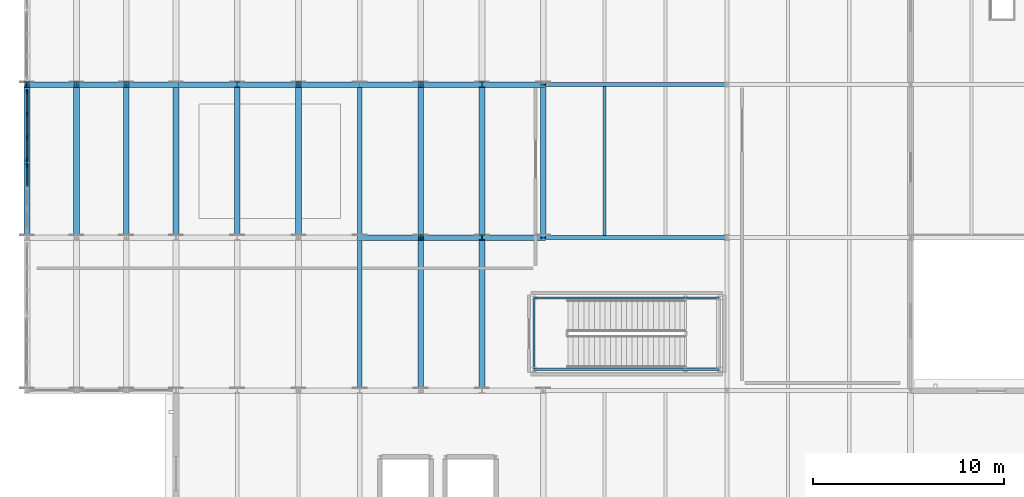
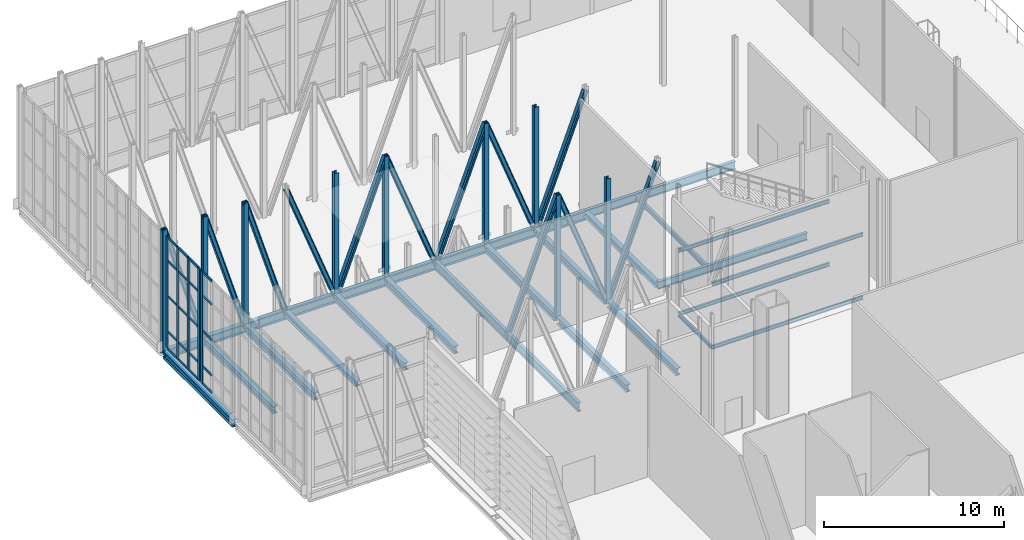
# One storey, part 18 of 73: 46 members, 22 beams, 2 elements without a shape of their own.
"""IFC4 building model written with IfcOpenShell, lengths in metres."""

from ifc_helpers import new_model, si_unit, direction, frame, origin, origin_2d, place, context, subcontext, project, spatial, rectangle, i_section, extrude, material, layer, layer_set, material_profile, profile_set, type_object, element, aggregate, save


model = new_model("IFC4")

# Units and contexts
model_context = context("Model", 3, precision=1e-05, world=origin(), true_north=direction((0.0, 1.0)))
body_context = subcontext(model_context, "Body", "Model", "MODEL_VIEW")
ifc_project = project(units=[si_unit("LENGTHUNIT", "METRE"), si_unit("AREAUNIT", "SQUARE_METRE"), si_unit("VOLUMEUNIT", "CUBIC_METRE"), si_unit("PLANEANGLEUNIT", "RADIAN"), si_unit("MASSUNIT", "GRAM", prefix="KILO")], contexts=[model_context])

# Site, building, storey
site_placement = place(None, origin())
site = spatial("IfcSite", under=ifc_project, at=site_placement, CompositionType="ELEMENT")
building_placement = place(site_placement, origin())
building = spatial("IfcBuilding", under=site, at=building_placement, Name="Alderhovde Museum", CompositionType="ELEMENT")
storey_placement = place(building_placement, frame((0.0, 0.0, 17.39990234375)))
storey = spatial("IfcBuildingStorey", under=building, at=storey_placement, Name="L04", CompositionType="ELEMENT", Elevation=17.39990234375)

# Beams
ifc_material_1 = material(Name="Steel S355J2", Category="steel")
ifc_material_profile_1 = material_profile(ifc_material_1, i_section(OverallWidth=0.300048828125, OverallDepth=0.389892578125, WebThickness=0.010986328125, FlangeThickness=0.01904296875, FilletRadius=0.027099609375, at=origin_2d()), Name="HEA 400")
ifc_profile_set_1 = profile_set([ifc_material_profile_1], Name="Steel S355J2")
beam_type_1 = type_object("IfcBeamType", Name="BM-HEA400", PredefinedType="BEAM", material=ifc_profile_set_1)
for number, where, z_axis, x_axis, name in (
    (1, (9.60009765625, 88.0, -0.474853515625), (0.0, 1.0, 0.0), (-1.0, 0.0, 0.0), "L04 Grid Beam X=9.6 (88.0 TO 96.0)"),
    (2, (28.800048828125, 88.0, -0.474853515625), (0.0, 1.0, 0.0), (-1.0, 0.0, 0.0), "L04 Grid Beam X=28.8 (88.0 TO 96.0)"),
):
    element("IfcBeam", number, at=place(storey_placement, frame(where, z_axis=z_axis, x_axis=x_axis)), inside=storey, type_object=beam_type_1, Name=name, PredefinedType="BEAM", context=body_context, shape_type="SweptSolid", body=[
        extrude(i_section(OverallWidth=0.300048828125, OverallDepth=0.389892578125, WebThickness=0.010986328125, FlangeThickness=0.01904296875, FilletRadius=0.027099609375, at=origin_2d()), origin(), (0.0, 0.0, 1.0), 8.0),
    ])
ifc_material_2 = material(Name="Steel S355J2", Category="steel")
ifc_material_profile_2 = material_profile(ifc_material_2, i_section(OverallWidth=0.300048828125, OverallDepth=0.489990234375, WebThickness=0.011962890625, FlangeThickness=0.02294921875, FilletRadius=0.027099609375, at=origin_2d()), Name="HEA 500")
ifc_profile_set_2 = profile_set([ifc_material_profile_2], Name="Steel S355J2")
beam_type_2 = type_object("IfcBeamType", Name="BM-HEA500", PredefinedType="BEAM", material=ifc_profile_set_2)
for number, where, z_axis, x_axis, name in (
    (3, (1.800048828125, 88.14990234375, -0.52490234375), (0.0, 1.0, 0.0), (-1.0, 0.0, 0.0), "L04 Transfer Transverse Beam X=1.8"),
    (4, (4.39990234375, 88.14990234375, -0.52490234375), (0.0, 1.0, 0.0), (-1.0, 0.0, 0.0), "L04 Transfer Transverse Beam X=4.4"),
    (5, (7.0, 88.14990234375, -0.52490234375), (0.0, 1.0, 0.0), (-1.0, 0.0, 0.0), "L04 Transfer Transverse Beam X=7.0"),
    (6, (12.800048828125, 88.14990234375, -0.52490234375), (0.0, 1.0, 0.0), (-1.0, 0.0, 0.0), "L04 Transfer Transverse Beam X=12.8"),
    (7, (16.0, 88.14990234375, -0.52490234375), (0.0, 1.0, 0.0), (-1.0, 0.0, 0.0), "L04 Transfer Transverse Beam X=16.0"),
    (8, (22.39990234375, 80.14990234375, -0.52490234375), (0.0, 1.0, 0.0), (-1.0, 0.0, 0.0), "L04 Transfer Transverse Beam X=22.4"),
    (9, (22.39990234375, 88.14990234375, -0.52490234375), (0.0, 1.0, 0.0), (-1.0, 0.0, 0.0), "L04 Transfer Transverse Beam X=22.4"),
    (10, (25.60009765625, 80.14990234375, -0.52490234375), (0.0, 1.0, 0.0), (-1.0, 0.0, 0.0), "L04 Transfer Transverse Beam X=25.6"),
    (11, (25.60009765625, 88.14990234375, -0.52490234375), (0.0, 1.0, 0.0), (-1.0, 0.0, 0.0), "L04 Transfer Transverse Beam X=25.6"),
):
    element("IfcBeam", number, at=place(storey_placement, frame(where, z_axis=z_axis, x_axis=x_axis)), inside=storey, type_object=beam_type_2, Name=name, PredefinedType="BEAM", context=body_context, shape_type="SweptSolid", body=[
        extrude(i_section(OverallWidth=0.300048828125, OverallDepth=0.489990234375, WebThickness=0.011962890625, FlangeThickness=0.02294921875, FilletRadius=0.027099609375, at=origin_2d()), origin(), (0.0, 0.0, 1.0), 7.7001953125),
    ])
ifc_material_3 = material(Name="Steel S355J2", Category="steel")
ifc_material_profile_3 = material_profile(ifc_material_3, i_section(OverallWidth=0.300048828125, OverallDepth=0.60009765625, WebThickness=0.015380859375, FlangeThickness=0.030029296875, FilletRadius=0.027099609375, at=origin_2d()), Name="HEB 600")
ifc_profile_set_3 = profile_set([ifc_material_profile_3], Name="Steel S355J2")
beam_type_3 = type_object("IfcBeamType", Name="BM-HEB600", PredefinedType="BEAM", material=ifc_profile_set_3)
beam_1_placement = place(storey_placement, frame((1.800048828125, 96.0, -0.579833984375), z_axis=(1.0, 0.0, 0.0), x_axis=(0.0, 1.0, 0.0)))
element("IfcBeam", 12, at=beam_1_placement, inside=storey, type_object=beam_type_3, Name="Transfer Truss Y=96 MID Continuous Chord", PredefinedType="BEAM", context=body_context, shape_type="SweptSolid", body=[
    extrude(i_section(OverallWidth=0.300048828125, OverallDepth=0.60009765625, WebThickness=0.015380859375, FlangeThickness=0.030029296875, FilletRadius=0.027099609375, at=origin_2d()), origin(), (0.0, 0.0, 1.0), 27.0),
])
ifc_material_4 = material(Name="Steel S355J2", Category="steel")
ifc_material_profile_4 = material_profile(ifc_material_4, i_section(OverallWidth=0.1201171875, OverallDepth=0.239990234375, WebThickness=0.006103515625, FlangeThickness=0.009765625, FilletRadius=0.014892578125, at=origin_2d()), Name="IPE 240")
ifc_profile_set_4 = profile_set([ifc_material_profile_4], Name="Steel S355J2")
beam_type_4 = type_object("IfcBeamType", Name="BM-IPE240", PredefinedType="BEAM", material=ifc_profile_set_4)
for number, where, z_axis, x_axis, name in (
    (13, (28.320068359375, 81.1201171875, -0.39990234375), (1.0, 0.0, 0.0), (0.0, 1.0, 0.0), "L04 Stair ST2 Floor Trimmer S"),
    (14, (28.320068359375, 84.840087890625, -0.39990234375), (1.0, 0.0, 0.0), (0.0, 1.0, 0.0), "L04 Stair ST2 Floor Trimmer N"),
):
    element("IfcBeam", number, at=place(storey_placement, frame(where, z_axis=z_axis, x_axis=x_axis)), inside=storey, type_object=beam_type_4, Name=name, PredefinedType="BEAM", context=body_context, shape_type="SweptSolid", body=[
        extrude(i_section(OverallWidth=0.1201171875, OverallDepth=0.239990234375, WebThickness=0.006103515625, FlangeThickness=0.009765625, FilletRadius=0.014892578125, at=origin_2d()), origin(), (0.0, 0.0, 1.0), 9.679931640625),
    ])
beam_2_placement = place(storey_placement, frame((28.320068359375, 81.1201171875, -0.39990234375), z_axis=(0.0, 1.0, 0.0), x_axis=(-1.0, 0.0, 0.0)))
element("IfcBeam", 15, at=beam_2_placement, inside=storey, type_object=beam_type_4, Name="L04 Stair ST2 Floor Trimmer W", PredefinedType="BEAM", context=body_context, shape_type="SweptSolid", body=[
    extrude(i_section(OverallWidth=0.1201171875, OverallDepth=0.239990234375, WebThickness=0.006103515625, FlangeThickness=0.009765625, FilletRadius=0.014892578125, at=origin_2d()), origin(), (0.0, 0.0, 1.0), 3.719970703125),
])
for number, where, z_axis, x_axis, name in (
    (16, (28.320068359375, 81.1201171875, 3.880126953125), (1.0, 0.0, 0.0), (0.0, 1.0, 0.0), "L04 Stair ST2 Landing 1 Beam S"),
    (17, (28.320068359375, 84.840087890625, 3.880126953125), (1.0, 0.0, 0.0), (0.0, 1.0, 0.0), "L04 Stair ST2 Landing 1 Beam N"),
):
    element("IfcBeam", number, at=place(storey_placement, frame(where, z_axis=z_axis, x_axis=x_axis)), inside=storey, type_object=beam_type_4, Name=name, PredefinedType="BEAM", context=body_context, shape_type="SweptSolid", body=[
        extrude(i_section(OverallWidth=0.1201171875, OverallDepth=0.239990234375, WebThickness=0.006103515625, FlangeThickness=0.009765625, FilletRadius=0.014892578125, at=origin_2d()), origin(), (0.0, 0.0, 1.0), 9.679931640625),
    ])
ifc_material_5 = material(Name="Steel S355J2", Category="steel")
ifc_material_profile_5 = material_profile(ifc_material_5, i_section(OverallWidth=0.199951171875, OverallDepth=0.5, WebThickness=0.01025390625, FlangeThickness=0.01611328125, FilletRadius=0.02099609375, at=origin_2d()), Name="IPE 500")
ifc_profile_set_5 = profile_set([ifc_material_profile_5], Name="Steel S355J2")
beam_type_5 = type_object("IfcBeamType", Name="BM-IPE500", PredefinedType="BEAM", material=ifc_profile_set_5)
beam_3_placement = place(storey_placement, frame((28.800048828125, 88.0, -0.52978515625), z_axis=(1.0, 0.0, 0.0), x_axis=(0.0, 1.0, 0.0)))
element("IfcBeam", 18, at=beam_3_placement, inside=storey, type_object=beam_type_5, Name="L04 Grid Beam Y=88.0 (28.8 TO 38.4)", PredefinedType="BEAM", context=body_context, shape_type="SweptSolid", body=[
    extrude(i_section(OverallWidth=0.199951171875, OverallDepth=0.5, WebThickness=0.01025390625, FlangeThickness=0.01611328125, FilletRadius=0.02099609375, at=origin_2d()), origin(), (0.0, 0.0, 1.0), 9.599853515625),
])
ifc_material_6 = material(Name="Steel S355J2", Category="steel")
ifc_material_profile_6 = material_profile(ifc_material_6, i_section(OverallWidth=0.2099609375, OverallDepth=0.550048828125, WebThickness=0.010986328125, FlangeThickness=0.01708984375, FilletRadius=0.02392578125, at=origin_2d()), Name="IPE 550")
ifc_profile_set_6 = profile_set([ifc_material_profile_6], Name="Steel S355J2")
beam_type_6 = type_object("IfcBeamType", Name="BM-IPE550", PredefinedType="BEAM", material=ifc_profile_set_6)
beam_4_placement = place(storey_placement, frame((28.800048828125, 96.0, -0.554931640625), z_axis=(1.0, 0.0, 0.0), x_axis=(0.0, 1.0, 0.0)))
element("IfcBeam", 19, at=beam_4_placement, inside=storey, type_object=beam_type_6, Name="L04 Grid Beam Y=96.0 (28.8 TO 38.4)", PredefinedType="BEAM", context=body_context, shape_type="SweptSolid", body=[
    extrude(i_section(OverallWidth=0.2099609375, OverallDepth=0.550048828125, WebThickness=0.010986328125, FlangeThickness=0.01708984375, FilletRadius=0.02392578125, at=origin_2d()), origin(), (0.0, 0.0, 1.0), 9.599853515625),
])
ifc_material_7 = material(Name="Steel S355J2", Category="steel")
ifc_material_profile_7 = material_profile(ifc_material_7, i_section(OverallWidth=0.219970703125, OverallDepth=0.60009765625, WebThickness=0.011962890625, FlangeThickness=0.01904296875, FilletRadius=0.02392578125, at=origin_2d()), Name="IPE 600")
ifc_profile_set_7 = profile_set([ifc_material_profile_7], Name="Steel S355J2")
beam_type_7 = type_object("IfcBeamType", Name="BM-IPE600", PredefinedType="BEAM", material=ifc_profile_set_7)
for number, where, z_axis, x_axis, name in (
    (20, (19.199951171875, 80.0, -0.579833984375), (0.0, 1.0, 0.0), (-1.0, 0.0, 0.0), "L04 Grid Beam X=19.2 (80.0 TO 88.0)"),
    (21, (19.199951171875, 88.0, -0.579833984375), (0.0, 1.0, 0.0), (-1.0, 0.0, 0.0), "L04 Grid Beam X=19.2 (88.0 TO 96.0)"),
):
    element("IfcBeam", number, at=place(storey_placement, frame(where, z_axis=z_axis, x_axis=x_axis)), inside=storey, type_object=beam_type_7, Name=name, PredefinedType="BEAM", context=body_context, shape_type="SweptSolid", body=[
        extrude(i_section(OverallWidth=0.219970703125, OverallDepth=0.60009765625, WebThickness=0.011962890625, FlangeThickness=0.01904296875, FilletRadius=0.02392578125, at=origin_2d()), origin(), (0.0, 0.0, 1.0), 8.0),
    ])

# Curtain wall, member
ifc_material_8 = material(Name="Triple-Glazed Bronze-Anodised Curtain Wall", Category="glass")
ifc_layer_1 = layer(ifc_material_8, 0.219970703125)
ifc_layer_set_1 = layer_set([ifc_layer_1], Name="Triple-Glazed Bronze-Anodised Curtain Wall")
curtain_wall_type_1 = type_object("IfcCurtainWallType", Name="CW-UNIT-345x760", PredefinedType="USERDEFINED", material=ifc_layer_set_1)
curtain_wall_1_placement = place(storey_placement, origin())
curtain_wall_1 = element("IfcCurtainWall", 22, at=curtain_wall_1_placement, inside=storey, type_object=curtain_wall_type_1, Name="L04 Unitised Curtain Wall 113", ObjectType="UNITISED CURTAIN WALL", PredefinedType="USERDEFINED")
ifc_material_9 = material(Name="Bronze-Anodised Aluminium EN AW-6063-T6", Category="aluminium")
ifc_material_profile_8 = material_profile(ifc_material_9, rectangle(XDim=0.074951171875, YDim=0.219970703125, at=origin_2d()), Name="MULLION 75x220")
ifc_profile_set_8 = profile_set([ifc_material_profile_8], Name="Bronze-Anodised Aluminium EN AW-6063-T6")
member_type_1 = type_object("IfcMemberType", Name="CWM-75x220", PredefinedType="MULLION", material=ifc_profile_set_8)
member_1_placement = place(storey_placement, frame((1.800048828125, 91.762451171875, 0.0), z_axis=(0.0, 0.0, 1.0), x_axis=(-1.0, 0.0, 0.0)))
member_1 = element("IfcMember", 23, at=member_1_placement, type_object=member_type_1, Name="CW27 mullion 4", PredefinedType="MULLION", context=body_context, shape_type="SweptSolid", body=[
    extrude(rectangle(XDim=0.074951171875, YDim=0.219970703125, at=origin_2d()), origin(), (0.0, 0.0, 1.0), 7.60009765625),
])

# Curtain wall, members
ifc_material_10 = material(Name="Triple-Glazed Bronze-Anodised Curtain Wall", Category="glass")
ifc_layer_2 = layer(ifc_material_10, 0.219970703125)
ifc_layer_set_2 = layer_set([ifc_layer_2], Name="Triple-Glazed Bronze-Anodised Curtain Wall")
curtain_wall_type_2 = type_object("IfcCurtainWallType", Name="CW-UNIT-360x760", PredefinedType="USERDEFINED", material=ifc_layer_set_2)
curtain_wall_2_placement = place(storey_placement, origin())
curtain_wall_2 = element("IfcCurtainWall", 24, at=curtain_wall_2_placement, inside=storey, type_object=curtain_wall_type_2, Name="L04 Unitised Curtain Wall 114", ObjectType="UNITISED CURTAIN WALL", PredefinedType="USERDEFINED")
member_2_placement = place(storey_placement, frame((1.800048828125, 92.08740234375, 0.0), z_axis=(0.0, 0.0, 1.0), x_axis=(-1.0, 0.0, 0.0)))
member_2 = element("IfcMember", 25, at=member_2_placement, type_object=member_type_1, Name="CW28 mullion 1", PredefinedType="MULLION", context=body_context, shape_type="SweptSolid", body=[
    extrude(rectangle(XDim=0.074951171875, YDim=0.219970703125, at=origin_2d()), origin(), (0.0, 0.0, 1.0), 7.60009765625),
])
member_3_placement = place(storey_placement, frame((1.800048828125, 93.25, 0.0), z_axis=(0.0, 0.0, 1.0), x_axis=(-1.0, 0.0, 0.0)))
member_3 = element("IfcMember", 26, at=member_3_placement, type_object=member_type_1, Name="CW28 mullion 2", PredefinedType="MULLION", context=body_context, shape_type="SweptSolid", body=[
    extrude(rectangle(XDim=0.074951171875, YDim=0.219970703125, at=origin_2d()), origin(), (0.0, 0.0, 1.0), 7.60009765625),
])
member_4_placement = place(storey_placement, frame((1.800048828125, 94.449951171875, 0.0), z_axis=(0.0, 0.0, 1.0), x_axis=(-1.0, 0.0, 0.0)))
member_4 = element("IfcMember", 27, at=member_4_placement, type_object=member_type_1, Name="CW28 mullion 3", PredefinedType="MULLION", context=body_context, shape_type="SweptSolid", body=[
    extrude(rectangle(XDim=0.074951171875, YDim=0.219970703125, at=origin_2d()), origin(), (0.0, 0.0, 1.0), 7.60009765625),
])
member_5_placement = place(storey_placement, frame((1.800048828125, 95.612548828125, 0.0), z_axis=(0.0, 0.0, 1.0), x_axis=(-1.0, 0.0, 0.0)))
member_5 = element("IfcMember", 28, at=member_5_placement, type_object=member_type_1, Name="CW28 mullion 4", PredefinedType="MULLION", context=body_context, shape_type="SweptSolid", body=[
    extrude(rectangle(XDim=0.074951171875, YDim=0.219970703125, at=origin_2d()), origin(), (0.0, 0.0, 1.0), 7.60009765625),
])

# Member
ifc_material_11 = material(Name="Bronze-Anodised Aluminium EN AW-6063-T6", Category="aluminium")
ifc_material_profile_9 = material_profile(ifc_material_11, rectangle(XDim=0.074951171875, YDim=0.159912109375, at=origin_2d()), Name="TRANSOM 75x160")
ifc_profile_set_9 = profile_set([ifc_material_profile_9], Name="Bronze-Anodised Aluminium EN AW-6063-T6")
member_type_2 = type_object("IfcMemberType", Name="CWT-75x160", PredefinedType="USERDEFINED", material=ifc_profile_set_9)
member_6_placement = place(storey_placement, frame((1.800048828125, 90.6875, 0.03759765625), z_axis=(0.0, 1.0, 0.0), x_axis=(-1.0, 0.0, 0.0)))
member_6 = element("IfcMember", 29, at=member_6_placement, type_object=member_type_2, Name="CW27 transom 3.1", ObjectType="TRANSOM", PredefinedType="USERDEFINED", context=body_context, shape_type="SweptSolid", body=[
    extrude(rectangle(XDim=0.074951171875, YDim=0.159912109375, at=origin_2d()), origin(), (0.0, 0.0, 1.0), 1.03759765625),
])

member_7_placement = place(storey_placement, frame((1.800048828125, 90.6875, 1.2001953125), z_axis=(0.0, 1.0, 0.0), x_axis=(-1.0, 0.0, 0.0)))
member_7 = element("IfcMember", 30, at=member_7_placement, type_object=member_type_2, Name="CW27 transom 3.2", ObjectType="TRANSOM", PredefinedType="USERDEFINED", context=body_context, shape_type="SweptSolid", body=[
    extrude(rectangle(XDim=0.074951171875, YDim=0.159912109375, at=origin_2d()), origin(), (0.0, 0.0, 1.0), 1.03759765625),
])

member_8_placement = place(storey_placement, frame((1.800048828125, 90.6875, 3.60009765625), z_axis=(0.0, 1.0, 0.0), x_axis=(-1.0, 0.0, 0.0)))
member_8 = element("IfcMember", 31, at=member_8_placement, type_object=member_type_2, Name="CW27 transom 3.3", ObjectType="TRANSOM", PredefinedType="USERDEFINED", context=body_context, shape_type="SweptSolid", body=[
    extrude(rectangle(XDim=0.074951171875, YDim=0.159912109375, at=origin_2d()), origin(), (0.0, 0.0, 1.0), 1.03759765625),
])

member_9_placement = place(storey_placement, frame((1.800048828125, 90.6875, 6.0), z_axis=(0.0, 1.0, 0.0), x_axis=(-1.0, 0.0, 0.0)))
member_9 = element("IfcMember", 32, at=member_9_placement, type_object=member_type_2, Name="CW27 transom 3.4", ObjectType="TRANSOM", PredefinedType="USERDEFINED", context=body_context, shape_type="SweptSolid", body=[
    extrude(rectangle(XDim=0.074951171875, YDim=0.159912109375, at=origin_2d()), origin(), (0.0, 0.0, 1.0), 1.03759765625),
])

member_10_placement = place(storey_placement, frame((1.800048828125, 90.6875, 7.5625), z_axis=(0.0, 1.0, 0.0), x_axis=(-1.0, 0.0, 0.0)))
member_10 = element("IfcMember", 33, at=member_10_placement, type_object=member_type_2, Name="CW27 transom 3.5", ObjectType="TRANSOM", PredefinedType="USERDEFINED", context=body_context, shape_type="SweptSolid", body=[
    extrude(rectangle(XDim=0.074951171875, YDim=0.159912109375, at=origin_2d()), origin(), (0.0, 0.0, 1.0), 1.03759765625),
])

aggregate(curtain_wall_1, [member_1, member_6, member_7, member_8, member_9, member_10])

member_11_placement = place(storey_placement, frame((1.800048828125, 92.125, 0.03759765625), z_axis=(0.0, 1.0, 0.0), x_axis=(-1.0, 0.0, 0.0)))
member_11 = element("IfcMember", 34, at=member_11_placement, type_object=member_type_2, Name="CW28 transom 1.1", ObjectType="TRANSOM", PredefinedType="USERDEFINED", context=body_context, shape_type="SweptSolid", body=[
    extrude(rectangle(XDim=0.074951171875, YDim=0.159912109375, at=origin_2d()), origin(), (0.0, 0.0, 1.0), 1.08740234375),
])

member_12_placement = place(storey_placement, frame((1.800048828125, 92.125, 1.2001953125), z_axis=(0.0, 1.0, 0.0), x_axis=(-1.0, 0.0, 0.0)))
member_12 = element("IfcMember", 35, at=member_12_placement, type_object=member_type_2, Name="CW28 transom 1.2", ObjectType="TRANSOM", PredefinedType="USERDEFINED", context=body_context, shape_type="SweptSolid", body=[
    extrude(rectangle(XDim=0.074951171875, YDim=0.159912109375, at=origin_2d()), origin(), (0.0, 0.0, 1.0), 1.08740234375),
])

member_13_placement = place(storey_placement, frame((1.800048828125, 92.125, 3.60009765625), z_axis=(0.0, 1.0, 0.0), x_axis=(-1.0, 0.0, 0.0)))
member_13 = element("IfcMember", 36, at=member_13_placement, type_object=member_type_2, Name="CW28 transom 1.3", ObjectType="TRANSOM", PredefinedType="USERDEFINED", context=body_context, shape_type="SweptSolid", body=[
    extrude(rectangle(XDim=0.074951171875, YDim=0.159912109375, at=origin_2d()), origin(), (0.0, 0.0, 1.0), 1.08740234375),
])

member_14_placement = place(storey_placement, frame((1.800048828125, 92.125, 6.0), z_axis=(0.0, 1.0, 0.0), x_axis=(-1.0, 0.0, 0.0)))
member_14 = element("IfcMember", 37, at=member_14_placement, type_object=member_type_2, Name="CW28 transom 1.4", ObjectType="TRANSOM", PredefinedType="USERDEFINED", context=body_context, shape_type="SweptSolid", body=[
    extrude(rectangle(XDim=0.074951171875, YDim=0.159912109375, at=origin_2d()), origin(), (0.0, 0.0, 1.0), 1.08740234375),
])

member_15_placement = place(storey_placement, frame((1.800048828125, 92.125, 7.5625), z_axis=(0.0, 1.0, 0.0), x_axis=(-1.0, 0.0, 0.0)))
member_15 = element("IfcMember", 38, at=member_15_placement, type_object=member_type_2, Name="CW28 transom 1.5", ObjectType="TRANSOM", PredefinedType="USERDEFINED", context=body_context, shape_type="SweptSolid", body=[
    extrude(rectangle(XDim=0.074951171875, YDim=0.159912109375, at=origin_2d()), origin(), (0.0, 0.0, 1.0), 1.08740234375),
])

member_16_placement = place(storey_placement, frame((1.800048828125, 93.28759765625, 0.03759765625), z_axis=(0.0, 1.0, 0.0), x_axis=(-1.0, 0.0, 0.0)))
member_16 = element("IfcMember", 39, at=member_16_placement, type_object=member_type_2, Name="CW28 transom 2.1", ObjectType="TRANSOM", PredefinedType="USERDEFINED", context=body_context, shape_type="SweptSolid", body=[
    extrude(rectangle(XDim=0.074951171875, YDim=0.159912109375, at=origin_2d()), origin(), (0.0, 0.0, 1.0), 1.125),
])

member_17_placement = place(storey_placement, frame((1.800048828125, 93.28759765625, 1.2001953125), z_axis=(0.0, 1.0, 0.0), x_axis=(-1.0, 0.0, 0.0)))
member_17 = element("IfcMember", 40, at=member_17_placement, type_object=member_type_2, Name="CW28 transom 2.2", ObjectType="TRANSOM", PredefinedType="USERDEFINED", context=body_context, shape_type="SweptSolid", body=[
    extrude(rectangle(XDim=0.074951171875, YDim=0.159912109375, at=origin_2d()), origin(), (0.0, 0.0, 1.0), 1.125),
])

member_18_placement = place(storey_placement, frame((1.800048828125, 93.28759765625, 3.60009765625), z_axis=(0.0, 1.0, 0.0), x_axis=(-1.0, 0.0, 0.0)))
member_18 = element("IfcMember", 41, at=member_18_placement, type_object=member_type_2, Name="CW28 transom 2.3", ObjectType="TRANSOM", PredefinedType="USERDEFINED", context=body_context, shape_type="SweptSolid", body=[
    extrude(rectangle(XDim=0.074951171875, YDim=0.159912109375, at=origin_2d()), origin(), (0.0, 0.0, 1.0), 1.125),
])

member_19_placement = place(storey_placement, frame((1.800048828125, 93.28759765625, 6.0), z_axis=(0.0, 1.0, 0.0), x_axis=(-1.0, 0.0, 0.0)))
member_19 = element("IfcMember", 42, at=member_19_placement, type_object=member_type_2, Name="CW28 transom 2.4", ObjectType="TRANSOM", PredefinedType="USERDEFINED", context=body_context, shape_type="SweptSolid", body=[
    extrude(rectangle(XDim=0.074951171875, YDim=0.159912109375, at=origin_2d()), origin(), (0.0, 0.0, 1.0), 1.125),
])

member_20_placement = place(storey_placement, frame((1.800048828125, 93.28759765625, 7.5625), z_axis=(0.0, 1.0, 0.0), x_axis=(-1.0, 0.0, 0.0)))
member_20 = element("IfcMember", 43, at=member_20_placement, type_object=member_type_2, Name="CW28 transom 2.5", ObjectType="TRANSOM", PredefinedType="USERDEFINED", context=body_context, shape_type="SweptSolid", body=[
    extrude(rectangle(XDim=0.074951171875, YDim=0.159912109375, at=origin_2d()), origin(), (0.0, 0.0, 1.0), 1.125),
])

member_21_placement = place(storey_placement, frame((1.800048828125, 94.487548828125, 0.03759765625), z_axis=(0.0, 1.0, 0.0), x_axis=(-1.0, 0.0, 0.0)))
member_21 = element("IfcMember", 44, at=member_21_placement, type_object=member_type_2, Name="CW28 transom 3.1", ObjectType="TRANSOM", PredefinedType="USERDEFINED", context=body_context, shape_type="SweptSolid", body=[
    extrude(rectangle(XDim=0.074951171875, YDim=0.159912109375, at=origin_2d()), origin(), (0.0, 0.0, 1.0), 1.08740234375),
])

member_22_placement = place(storey_placement, frame((1.800048828125, 94.487548828125, 1.2001953125), z_axis=(0.0, 1.0, 0.0), x_axis=(-1.0, 0.0, 0.0)))
member_22 = element("IfcMember", 45, at=member_22_placement, type_object=member_type_2, Name="CW28 transom 3.2", ObjectType="TRANSOM", PredefinedType="USERDEFINED", context=body_context, shape_type="SweptSolid", body=[
    extrude(rectangle(XDim=0.074951171875, YDim=0.159912109375, at=origin_2d()), origin(), (0.0, 0.0, 1.0), 1.08740234375),
])

member_23_placement = place(storey_placement, frame((1.800048828125, 94.487548828125, 3.60009765625), z_axis=(0.0, 1.0, 0.0), x_axis=(-1.0, 0.0, 0.0)))
member_23 = element("IfcMember", 46, at=member_23_placement, type_object=member_type_2, Name="CW28 transom 3.3", ObjectType="TRANSOM", PredefinedType="USERDEFINED", context=body_context, shape_type="SweptSolid", body=[
    extrude(rectangle(XDim=0.074951171875, YDim=0.159912109375, at=origin_2d()), origin(), (0.0, 0.0, 1.0), 1.08740234375),
])

member_24_placement = place(storey_placement, frame((1.800048828125, 94.487548828125, 6.0), z_axis=(0.0, 1.0, 0.0), x_axis=(-1.0, 0.0, 0.0)))
member_24 = element("IfcMember", 47, at=member_24_placement, type_object=member_type_2, Name="CW28 transom 3.4", ObjectType="TRANSOM", PredefinedType="USERDEFINED", context=body_context, shape_type="SweptSolid", body=[
    extrude(rectangle(XDim=0.074951171875, YDim=0.159912109375, at=origin_2d()), origin(), (0.0, 0.0, 1.0), 1.08740234375),
])

member_25_placement = place(storey_placement, frame((1.800048828125, 94.487548828125, 7.5625), z_axis=(0.0, 1.0, 0.0), x_axis=(-1.0, 0.0, 0.0)))
member_25 = element("IfcMember", 48, at=member_25_placement, type_object=member_type_2, Name="CW28 transom 3.5", ObjectType="TRANSOM", PredefinedType="USERDEFINED", context=body_context, shape_type="SweptSolid", body=[
    extrude(rectangle(XDim=0.074951171875, YDim=0.159912109375, at=origin_2d()), origin(), (0.0, 0.0, 1.0), 1.08740234375),
])

aggregate(curtain_wall_2, [member_2, member_3, member_4, member_5, member_11, member_12, member_13, member_14, member_15, member_16, member_17, member_18, member_19, member_20, member_21, member_22, member_23, member_24, member_25])

# Beam
ifc_material_12 = material(Name="Steel S355J2", Category="steel")
ifc_material_profile_10 = material_profile(ifc_material_12, i_section(OverallWidth=0.159912109375, OverallDepth=0.330078125, WebThickness=0.007568359375, FlangeThickness=0.011474609375, FilletRadius=0.01806640625, at=origin_2d()), Name="IPE 330")
ifc_profile_set_10 = profile_set([ifc_material_profile_10], Name="Steel S355J2")
beam_type_8 = type_object("IfcBeamType", Name="JST-IPE330", PredefinedType="JOIST", material=ifc_profile_set_10)
beam_5_placement = place(storey_placement, frame((32.0, 88.10009765625, -0.44482421875), z_axis=(0.0, 1.0, 0.0), x_axis=(-1.0, 0.0, 0.0)))
element("IfcBeam", 49, at=beam_5_placement, inside=storey, type_object=beam_type_8, Name="L04 Composite Joist X=32.0 (88.0 TO 96.0)", PredefinedType="JOIST", context=body_context, shape_type="SweptSolid", body=[
    extrude(i_section(OverallWidth=0.159912109375, OverallDepth=0.330078125, WebThickness=0.007568359375, FlangeThickness=0.011474609375, FilletRadius=0.01806640625, at=origin_2d()), origin(), (0.0, 0.0, 1.0), 7.794921875),
])

# Members
ifc_material_13 = material(Name="Steel S355J2", Category="steel")
ifc_material_profile_11 = material_profile(ifc_material_13, i_section(OverallWidth=0.280029296875, OverallDepth=0.27001953125, WebThickness=0.008056640625, FlangeThickness=0.012939453125, FilletRadius=0.02392578125, at=origin_2d()), Name="HEA 280")
ifc_profile_set_11 = profile_set([ifc_material_profile_11], Name="Steel S355J2")
member_type_3 = type_object("IfcMemberType", Name="TR-DG-HEA280", PredefinedType="STRUT", material=ifc_profile_set_11)
member_26_placement = place(storey_placement, frame((19.199951171875, 88.0, -0.579833984375), z_axis=(0.353418397118, 0.0, 0.935465358299), x_axis=(0.0, 1.0, 0.0)))
element("IfcMember", 50, at=member_26_placement, inside=storey, type_object=member_type_3, Name="Transfer Truss Y=88 T2 Diagonal 7", PredefinedType="STRUT", context=body_context, shape_type="SweptSolid", body=[
    extrude(i_section(OverallWidth=0.280029296875, OverallDepth=0.27001953125, WebThickness=0.008056640625, FlangeThickness=0.012939453125, FilletRadius=0.02392578125, at=origin_2d()), origin(), (0.0, 0.0, 1.0), 9.05419921875),
])
member_27_placement = place(storey_placement, frame((22.39990234375, 88.0, 7.89013671875), z_axis=(0.353441992938, 0.0, -0.935456443469), x_axis=(0.0, 1.0, 0.0)))
element("IfcMember", 51, at=member_27_placement, inside=storey, type_object=member_type_3, Name="Transfer Truss Y=88 T2 Diagonal 8", PredefinedType="STRUT", context=body_context, shape_type="SweptSolid", body=[
    extrude(i_section(OverallWidth=0.280029296875, OverallDepth=0.27001953125, WebThickness=0.008056640625, FlangeThickness=0.012939453125, FilletRadius=0.02392578125, at=origin_2d()), origin(), (0.0, 0.0, 1.0), 9.054443359375),
])
member_28_placement = place(storey_placement, frame((25.60009765625, 88.0, -0.579833984375), z_axis=(0.353418397118, 0.0, 0.935465358299), x_axis=(0.0, 1.0, 0.0)))
element("IfcMember", 52, at=member_28_placement, inside=storey, type_object=member_type_3, Name="Transfer Truss Y=88 T2 Diagonal 9", PredefinedType="STRUT", context=body_context, shape_type="SweptSolid", body=[
    extrude(i_section(OverallWidth=0.280029296875, OverallDepth=0.27001953125, WebThickness=0.008056640625, FlangeThickness=0.012939453125, FilletRadius=0.02392578125, at=origin_2d()), origin(), (0.0, 0.0, 1.0), 9.05419921875),
])
for number, where, z_axis, x_axis, name in (
    (53, (1.800048828125, 96.0, 7.89013671875), (0.293437112853, 0.0, -0.955978378835), (0.0, 1.0, 0.0), "Transfer Truss Y=96 T2 Diagonal 1"),
    (54, (4.39990234375, 96.0, 7.89013671875), (0.293462295251, 0.0, -0.955970648747), (0.0, 1.0, 0.0), "Transfer Truss Y=96 T2 Diagonal 2"),
    (55, (7.0, 96.0, 7.89013671875), (0.293462295251, 0.0, -0.955970648747), (0.0, 1.0, 0.0), "Transfer Truss Y=96 T2 Diagonal 3"),
):
    element("IfcMember", number, at=place(storey_placement, frame(where, z_axis=z_axis, x_axis=x_axis)), inside=storey, type_object=member_type_3, Name=name, PredefinedType="STRUT", context=body_context, shape_type="SweptSolid", body=[
        extrude(i_section(OverallWidth=0.280029296875, OverallDepth=0.27001953125, WebThickness=0.008056640625, FlangeThickness=0.012939453125, FilletRadius=0.02392578125, at=origin_2d()), origin(), (0.0, 0.0, 1.0), 8.860107421875),
    ])
for number, where, z_axis, x_axis, name in (
    (56, (9.60009765625, 96.0, 7.89013671875), (0.353418397118, 0.0, -0.935465358299), (0.0, 1.0, 0.0), "Transfer Truss Y=96 T2 Diagonal 4"),
    (57, (12.800048828125, 96.0, -0.579833984375), (0.353418397118, 0.0, 0.935465358299), (0.0, 1.0, 0.0), "Transfer Truss Y=96 T2 Diagonal 5"),
    (58, (16.0, 96.0, 7.89013671875), (0.353418397118, 0.0, -0.935465358299), (0.0, 1.0, 0.0), "Transfer Truss Y=96 T2 Diagonal 6"),
    (59, (19.199951171875, 96.0, -0.579833984375), (0.353418397118, 0.0, 0.935465358299), (0.0, 1.0, 0.0), "Transfer Truss Y=96 T2 Diagonal 7"),
):
    element("IfcMember", number, at=place(storey_placement, frame(where, z_axis=z_axis, x_axis=x_axis)), inside=storey, type_object=member_type_3, Name=name, PredefinedType="STRUT", context=body_context, shape_type="SweptSolid", body=[
        extrude(i_section(OverallWidth=0.280029296875, OverallDepth=0.27001953125, WebThickness=0.008056640625, FlangeThickness=0.012939453125, FilletRadius=0.02392578125, at=origin_2d()), origin(), (0.0, 0.0, 1.0), 9.05419921875),
    ])
member_29_placement = place(storey_placement, frame((22.39990234375, 96.0, 7.89013671875), z_axis=(0.353441992938, 0.0, -0.935456443469), x_axis=(0.0, 1.0, 0.0)))
element("IfcMember", 60, at=member_29_placement, inside=storey, type_object=member_type_3, Name="Transfer Truss Y=96 T2 Diagonal 8", PredefinedType="STRUT", context=body_context, shape_type="SweptSolid", body=[
    extrude(i_section(OverallWidth=0.280029296875, OverallDepth=0.27001953125, WebThickness=0.008056640625, FlangeThickness=0.012939453125, FilletRadius=0.02392578125, at=origin_2d()), origin(), (0.0, 0.0, 1.0), 9.054443359375),
])
member_30_placement = place(storey_placement, frame((25.60009765625, 96.0, -0.579833984375), z_axis=(0.353418397118, 0.0, 0.935465358299), x_axis=(0.0, 1.0, 0.0)))
element("IfcMember", 61, at=member_30_placement, inside=storey, type_object=member_type_3, Name="Transfer Truss Y=96 T2 Diagonal 9", PredefinedType="STRUT", context=body_context, shape_type="SweptSolid", body=[
    extrude(i_section(OverallWidth=0.280029296875, OverallDepth=0.27001953125, WebThickness=0.008056640625, FlangeThickness=0.012939453125, FilletRadius=0.02392578125, at=origin_2d()), origin(), (0.0, 0.0, 1.0), 9.05419921875),
])
ifc_material_14 = material(Name="Steel S355J2", Category="steel")
ifc_material_profile_12 = material_profile(ifc_material_14, i_section(OverallWidth=0.280029296875, OverallDepth=0.280029296875, WebThickness=0.010498046875, FlangeThickness=0.01806640625, FilletRadius=0.02392578125, at=origin_2d()), Name="HEB 280")
ifc_profile_set_12 = profile_set([ifc_material_profile_12], Name="Steel S355J2")
member_type_4 = type_object("IfcMemberType", Name="TR-PS-HEB280", PredefinedType="POST", material=ifc_profile_set_12)
for number, where, z_axis, x_axis, name in (
    (62, (22.39990234375, 88.0, -0.579833984375), (0.0, 0.0, 1.0), (1.0, 0.0, 0.0), "Transfer Truss Y=88 T2 Post 8"),
    (63, (25.60009765625, 88.0, -0.579833984375), (0.0, 0.0, 1.0), (1.0, 0.0, 0.0), "Transfer Truss Y=88 T2 Post 9"),
    (64, (1.800048828125, 96.0, -0.579833984375), (0.0, 0.0, 1.0), (1.0, 0.0, 0.0), "Transfer Truss Y=96 T2 Post 1"),
    (65, (4.39990234375, 96.0, -0.579833984375), (0.0, 0.0, 1.0), (1.0, 0.0, 0.0), "Transfer Truss Y=96 T2 Post 2"),
    (66, (7.0, 96.0, -0.579833984375), (0.0, 0.0, 1.0), (1.0, 0.0, 0.0), "Transfer Truss Y=96 T2 Post 3"),
    (67, (12.800048828125, 96.0, -0.579833984375), (0.0, 0.0, 1.0), (1.0, 0.0, 0.0), "Transfer Truss Y=96 T2 Post 5"),
    (68, (16.0, 96.0, -0.579833984375), (0.0, 0.0, 1.0), (1.0, 0.0, 0.0), "Transfer Truss Y=96 T2 Post 6"),
    (69, (22.39990234375, 96.0, -0.579833984375), (0.0, 0.0, 1.0), (1.0, 0.0, 0.0), "Transfer Truss Y=96 T2 Post 8"),
    (70, (25.60009765625, 96.0, -0.579833984375), (0.0, 0.0, 1.0), (1.0, 0.0, 0.0), "Transfer Truss Y=96 T2 Post 9"),
):
    element("IfcMember", number, at=place(storey_placement, frame(where, z_axis=z_axis, x_axis=x_axis)), inside=storey, type_object=member_type_4, Name=name, PredefinedType="POST", context=body_context, shape_type="SweptSolid", body=[
        extrude(i_section(OverallWidth=0.280029296875, OverallDepth=0.280029296875, WebThickness=0.010498046875, FlangeThickness=0.01806640625, FilletRadius=0.02392578125, at=origin_2d()), origin(), (0.0, 0.0, 1.0), 8.469970703125),
    ])

save(model, "model.ifc")
